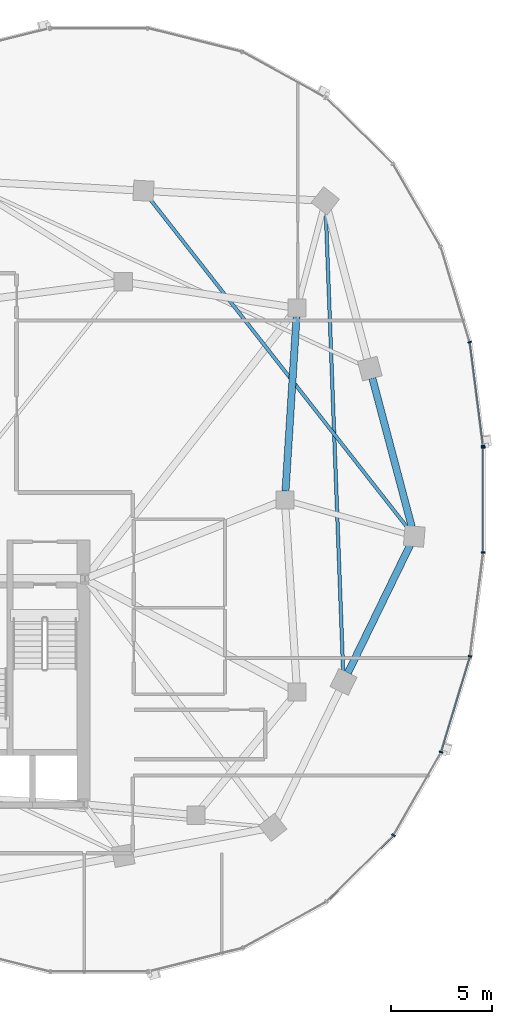
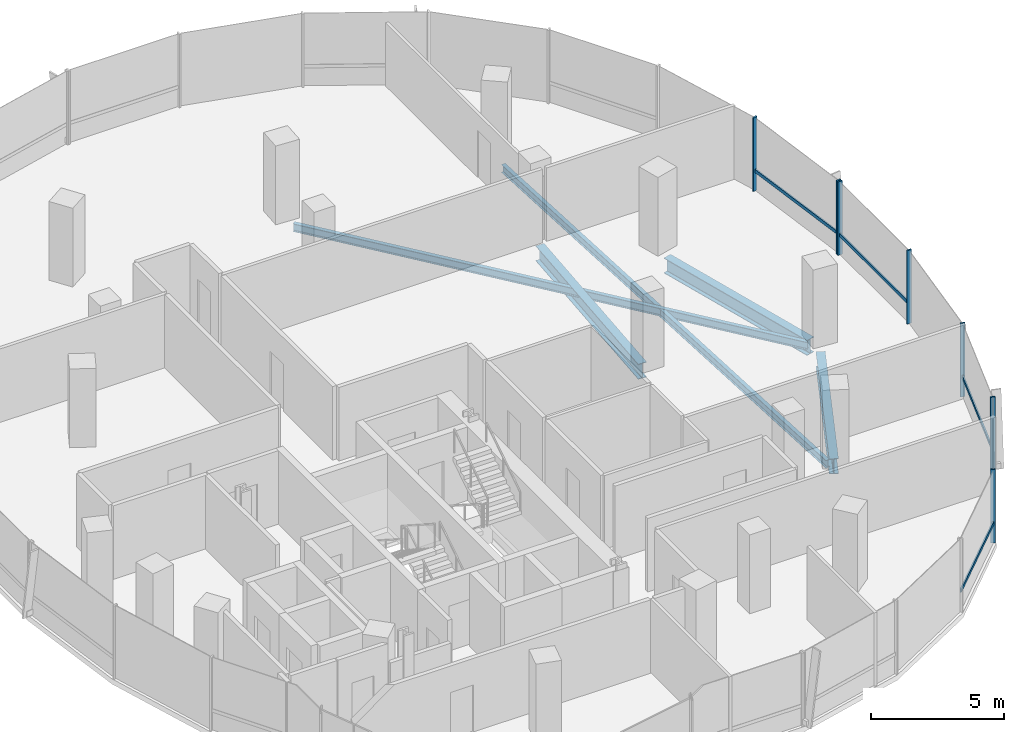
# One storey, part 8 of 22: 11 members, 5 beams, 2 elements without a shape of their own.
"""IFC4 building model written with IfcOpenShell, lengths in metres."""

from ifc_helpers import new_model, si_unit, direction, frame, origin, origin_2d, place, context, subcontext, project, spatial, rectangle, i_section, extrude, material, material_profile, profile_set, type_object, element, aggregate, save


model = new_model("IFC4")

# Units and contexts
model_context = context("Model", 3, precision=1e-05, world=origin(), true_north=direction((0.0, 1.0)))
body_context = subcontext(model_context, "Body", "Model", "MODEL_VIEW")
ifc_project = project(units=[si_unit("LENGTHUNIT", "METRE"), si_unit("AREAUNIT", "SQUARE_METRE"), si_unit("VOLUMEUNIT", "CUBIC_METRE"), si_unit("PLANEANGLEUNIT", "RADIAN"), si_unit("MASSUNIT", "GRAM", prefix="KILO"), si_unit("THERMODYNAMICTEMPERATUREUNIT", "KELVIN"), si_unit("POWERUNIT", "WATT")], contexts=[model_context])

# Site, building, storey
site_placement = place(None, origin())
site = spatial("IfcSite", under=ifc_project, at=site_placement, CompositionType="ELEMENT")
building_placement = place(site_placement, origin())
building = spatial("IfcBuilding", under=site, at=building_placement, Name="Cundina Bronze Exchange", CompositionType="ELEMENT")
storey_placement = place(building_placement, frame((0.0, 0.0, 158.39990234375)))
storey = spatial("IfcBuildingStorey", under=building, at=storey_placement, Name="L41", CompositionType="ELEMENT", Elevation=158.39990234375)

# Beams
ifc_material_1 = material(Name="Steel ASTM A992 Grade 50", Category="steel")
ifc_material_profile_1 = material_profile(ifc_material_1, i_section(OverallWidth=0.172119140625, OverallDepth=0.35791015625, WebThickness=0.0078125, FlangeThickness=0.01318359375, FilletRadius=0.010009765625, at=origin_2d()), Name="W14X38", Category="steel")
ifc_profile_set_1 = profile_set([ifc_material_profile_1], Name="Steel ASTM A992 Grade 50")
beam_type_1 = type_object("IfcBeamType", Name="BM-JST-W14", PredefinedType="JOIST", material=ifc_profile_set_1)
beam_1_placement = place(storey_placement, frame((44.08154296875, -8.51220703125, -0.4189453125), z_axis=(-0.037784933381, 0.999285894431, 0.0), x_axis=(-0.999285894431, -0.037784933381, 0.0)))
element("IfcBeam", 1, at=beam_1_placement, inside=storey, type_object=beam_type_1, Name="L41 Leg E Lobe Floor Joist 07-10", PredefinedType="JOIST", context=body_context, shape_type="SweptSolid", body=[
    extrude(i_section(OverallWidth=0.172119140625, OverallDepth=0.35791015625, WebThickness=0.0078125, FlangeThickness=0.01318359375, FilletRadius=0.010009765625, at=origin_2d()), origin(), (0.0, 0.0, 1.0), 22.8408203125),
])
beam_2_placement = place(storey_placement, frame((47.299072265625, -1.416015625, -0.4189453125), z_axis=(-0.616801484103, 0.787118751656, 0.0), x_axis=(-0.787118751656, -0.616801484103, 0.0)))
element("IfcBeam", 2, at=beam_2_placement, inside=storey, type_object=beam_type_1, Name="L41 Leg E Lobe Floor Joist 08-11", PredefinedType="JOIST", context=body_context, shape_type="SweptSolid", body=[
    extrude(i_section(OverallWidth=0.172119140625, OverallDepth=0.35791015625, WebThickness=0.0078125, FlangeThickness=0.01318359375, FilletRadius=0.010009765625, at=origin_2d()), origin(), (0.0, 0.0, 1.0), 20.7490234375),
])
ifc_material_profile_2 = material_profile(ifc_material_1, i_section(OverallWidth=0.35498046875, OverallDepth=0.695068359375, WebThickness=0.015380859375, FlangeThickness=0.02490234375, FilletRadius=0.01806640625, at=origin_2d()), Name="W27X146", Category="steel")
ifc_profile_set_2 = profile_set([ifc_material_profile_2], Name="Steel ASTM A992 Grade 50")
beam_type_2 = type_object("IfcBeamType", Name="BM-RING-W27", PredefinedType="USERDEFINED", material=ifc_profile_set_2)
beam_3_placement = place(storey_placement, frame((41.2275390625, 0.43701171875, -0.58740234375), z_axis=(0.063046519736, 0.998010589297, 0.0), x_axis=(-0.998010589297, 0.063046519736, 0.0)))
element("IfcBeam", 3, at=beam_3_placement, inside=storey, type_object=beam_type_2, Name="L41 E Inner Structural Ring Girder 04", ObjectType="GIRDER", PredefinedType="USERDEFINED", context=body_context, shape_type="SweptSolid", body=[
    extrude(i_section(OverallWidth=0.35498046875, OverallDepth=0.695068359375, WebThickness=0.015380859375, FlangeThickness=0.02490234375, FilletRadius=0.01806640625, at=origin_2d()), origin(), (0.0, 0.0, 1.0), 8.64306640625),
])
beam_4_placement = place(storey_placement, frame((44.3134765625, -8.56103515625, -0.58740234375), z_axis=(0.437196998825, 0.89936576776, 0.0), x_axis=(-0.89936576776, 0.437196998825, 0.0)))
element("IfcBeam", 4, at=beam_4_placement, inside=storey, type_object=beam_type_2, Name="L41 E Perimeter Ring Girder 07", ObjectType="GIRDER", PredefinedType="USERDEFINED", context=body_context, shape_type="SweptSolid", body=[
    extrude(i_section(OverallWidth=0.35498046875, OverallDepth=0.695068359375, WebThickness=0.015380859375, FlangeThickness=0.02490234375, FilletRadius=0.01806640625, at=origin_2d()), origin(), (0.0, 0.0, 1.0), 7.029541015625),
])
beam_5_placement = place(storey_placement, frame((47.47509765625, -1.328369140625, -0.58740234375), z_axis=(-0.256240814108, 0.966612975904, 0.0), x_axis=(-0.966612975904, -0.256240814108, 0.0)))
element("IfcBeam", 5, at=beam_5_placement, inside=storey, type_object=beam_type_2, Name="L41 E Perimeter Ring Girder 08", ObjectType="GIRDER", PredefinedType="USERDEFINED", context=body_context, shape_type="SweptSolid", body=[
    extrude(i_section(OverallWidth=0.35498046875, OverallDepth=0.695068359375, WebThickness=0.015380859375, FlangeThickness=0.02490234375, FilletRadius=0.01806640625, at=origin_2d()), origin(), (0.0, 0.0, 1.0), 7.61083984375),
])

# Curtain wall, members
ifc_material_2 = material(Name="Anodised Bronze Aluminium 6063-T6", Category="aluminium")
curtain_wall_type = type_object("IfcCurtainWallType", Name="CWS-WST-PIN", PredefinedType="NOTDEFINED", material=ifc_material_2)
curtain_wall_1_placement = place(storey_placement, origin())
curtain_wall_1 = element("IfcCurtainWall", 6, at=curtain_wall_1_placement, inside=storey, type_object=curtain_wall_type, Name="L41 CW-04 Curtain Wall Run CWR-L41-E1", PredefinedType="NOTDEFINED")
ifc_material_profile_3 = material_profile(ifc_material_2, rectangle(XDim=0.070068359375, YDim=0.18994140625, at=origin_2d()), Name="AL70X190", Category="aluminium")
ifc_profile_set_3 = profile_set([ifc_material_profile_3], Name="Anodised Bronze Aluminium 6063-T6")
member_type_1 = type_object("IfcMemberType", Name="CWM-MUL-190", PredefinedType="MULLION", material=ifc_profile_set_3)
member_1_placement = place(storey_placement, frame((51.001708984375, 2.676025390625, 0.0), z_axis=(0.0, 0.0, 1.0), x_axis=(-0.126545236492, 0.991960837494, 0.0)))
member_1 = element("IfcMember", 7, at=member_1_placement, type_object=member_type_1, Name="CW-04 Mullion 1", PredefinedType="MULLION", context=body_context, shape_type="SweptSolid", body=[
    extrude(rectangle(XDim=0.070068359375, YDim=0.18994140625, at=origin_2d()), origin(), (0.0, 0.0, 1.0), 3.360107421875),
])
member_2_placement = place(storey_placement, frame((50.3408203125, 7.80859375, 0.0), z_axis=(0.0, 0.0, 1.0), x_axis=(-0.290034140915, 0.957016299288, 0.0)))
member_2 = element("IfcMember", 8, at=member_2_placement, type_object=member_type_1, Name="CW-04 Mullion 2", PredefinedType="MULLION", context=body_context, shape_type="SweptSolid", body=[
    extrude(rectangle(XDim=0.070068359375, YDim=0.18994140625, at=origin_2d()), origin(), (0.0, 0.0, 1.0), 3.360107421875),
])

curtain_wall_2_placement = place(storey_placement, origin())
curtain_wall_2 = element("IfcCurtainWall", 9, at=curtain_wall_2_placement, inside=storey, type_object=curtain_wall_type, Name="L41 CW-04 Curtain Wall Run CWR-L41-E4", PredefinedType="NOTDEFINED")
member_3_placement = place(storey_placement, frame((46.57080078125, -16.588134765625, 0.0), z_axis=(0.0, 0.0, 1.0), x_axis=(0.498487739754, 0.866896748936, 0.0)))
member_3 = element("IfcMember", 10, at=member_3_placement, type_object=member_type_1, Name="CW-04 Mullion 4", PredefinedType="MULLION", context=body_context, shape_type="SweptSolid", body=[
    extrude(rectangle(XDim=0.070068359375, YDim=0.18994140625, at=origin_2d()), origin(), (0.0, 0.0, 1.0), 3.360107421875),
])
member_4_placement = place(storey_placement, frame((48.92626953125, -12.4755859375, 0.0), z_axis=(0.0, 0.0, 1.0), x_axis=(0.290034140915, 0.957016299288, 0.0)))
member_4 = element("IfcMember", 11, at=member_4_placement, type_object=member_type_1, Name="CW-04 Mullion 5", PredefinedType="MULLION", context=body_context, shape_type="SweptSolid", body=[
    extrude(rectangle(XDim=0.070068359375, YDim=0.18994140625, at=origin_2d()), origin(), (0.0, 0.0, 1.0), 3.360107421875),
])
member_5_placement = place(storey_placement, frame((50.357177734375, -7.731689453125, 0.0), z_axis=(0.0, 0.0, 1.0), x_axis=(0.126545236492, 0.991960837494, 0.0)))
member_5 = element("IfcMember", 12, at=member_5_placement, type_object=member_type_1, Name="CW-04 Mullion 6", PredefinedType="MULLION", context=body_context, shape_type="SweptSolid", body=[
    extrude(rectangle(XDim=0.070068359375, YDim=0.18994140625, at=origin_2d()), origin(), (0.0, 0.0, 1.0), 3.360107421875),
])
member_6_placement = place(storey_placement, frame((51.007080078125, -2.593017578125, 0.0), z_axis=(0.0, 0.0, 1.0), x_axis=(0.0, 1.0, 0.0)))
member_6 = element("IfcMember", 13, at=member_6_placement, type_object=member_type_1, Name="CW-04 Mullion 7", PredefinedType="MULLION", context=body_context, shape_type="SweptSolid", body=[
    extrude(rectangle(XDim=0.070068359375, YDim=0.18994140625, at=origin_2d()), origin(), (0.0, 0.0, 1.0), 3.360107421875),
])
member_7_placement = place(storey_placement, frame((51.007080078125, 2.593017578125, 0.0), z_axis=(0.0, 0.0, 1.0), x_axis=(0.0, 1.0, 0.0)))
member_7 = element("IfcMember", 14, at=member_7_placement, type_object=member_type_1, Name="CW-04 End Mullion", PredefinedType="MULLION", context=body_context, shape_type="SweptSolid", body=[
    extrude(rectangle(XDim=0.070068359375, YDim=0.18994140625, at=origin_2d()), origin(), (0.0, 0.0, 1.0), 3.360107421875),
])

# Member
ifc_material_profile_4 = material_profile(ifc_material_2, rectangle(XDim=0.06494140625, YDim=0.14990234375, at=origin_2d()), Name="AL65X150", Category="aluminium")
ifc_profile_set_4 = profile_set([ifc_material_profile_4], Name="Anodised Bronze Aluminium 6063-T6")
member_type_2 = type_object("IfcMemberType", Name="CWM-TRN-150", PredefinedType="USERDEFINED", material=ifc_profile_set_4)
member_8_placement = place(storey_placement, frame((50.996826171875, 2.71435546875, 0.920166015625), z_axis=(-0.12646340362, 0.991971273548, 0.0), x_axis=(-0.991971273548, -0.12646340362, 0.0)))
member_8 = element("IfcMember", 15, at=member_8_placement, type_object=member_type_2, Name="CW-04 Spandrel Transom 1", ObjectType="TRANSOM", PredefinedType="USERDEFINED", context=body_context, shape_type="SweptSolid", body=[
    extrude(rectangle(XDim=0.06494140625, YDim=0.14990234375, at=origin_2d()), origin(), (0.0, 0.0, 1.0), 5.0966796875),
])

aggregate(curtain_wall_1, [member_1, member_8, member_2])

member_9_placement = place(storey_placement, frame((43.28662109375, -19.839599609375, 0.920166015625), z_axis=(0.712005023839, 0.702174370102, 0.0), x_axis=(-0.702174370102, 0.712005023839, 0.0)))
member_9 = element("IfcMember", 16, at=member_9_placement, type_object=member_type_2, Name="CW-04 Spandrel Transom 3", ObjectType="TRANSOM", PredefinedType="USERDEFINED", context=body_context, shape_type="SweptSolid", body=[
    extrude(rectangle(XDim=0.06494140625, YDim=0.14990234375, at=origin_2d()), origin(), (0.0, 0.0, 1.0), 4.594482421875),
])

member_10_placement = place(storey_placement, frame((48.937255859375, -12.43896484375, 0.920166015625), z_axis=(0.290051855969, 0.957010930371, 0.0), x_axis=(-0.957010930371, 0.290051855969, 0.0)))
member_10 = element("IfcMember", 17, at=member_10_placement, type_object=member_type_2, Name="CW-04 Spandrel Transom 5", ObjectType="TRANSOM", PredefinedType="USERDEFINED", context=body_context, shape_type="SweptSolid", body=[
    extrude(rectangle(XDim=0.06494140625, YDim=0.14990234375, at=origin_2d()), origin(), (0.0, 0.0, 1.0), 4.876953125),
])

member_11_placement = place(storey_placement, frame((51.007080078125, -2.554443359375, 0.920166015625), z_axis=(0.0, 1.0, 0.0), x_axis=(-1.0, 0.0, 0.0)))
member_11 = element("IfcMember", 18, at=member_11_placement, type_object=member_type_2, Name="CW-04 Spandrel Transom 7", ObjectType="TRANSOM", PredefinedType="USERDEFINED", context=body_context, shape_type="SweptSolid", body=[
    extrude(rectangle(XDim=0.06494140625, YDim=0.14990234375, at=origin_2d()), origin(), (0.0, 0.0, 1.0), 5.10888671875),
])

aggregate(curtain_wall_2, [member_9, member_3, member_4, member_10, member_5, member_6, member_7, member_11])

save(model, "model.ifc")
